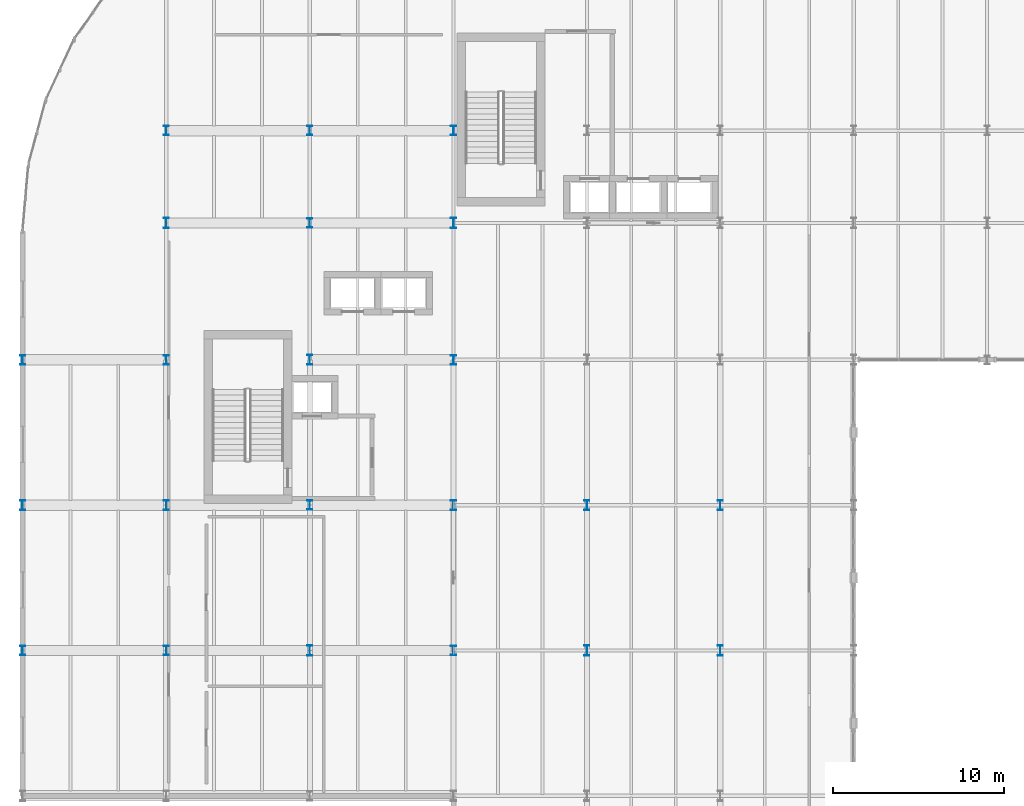
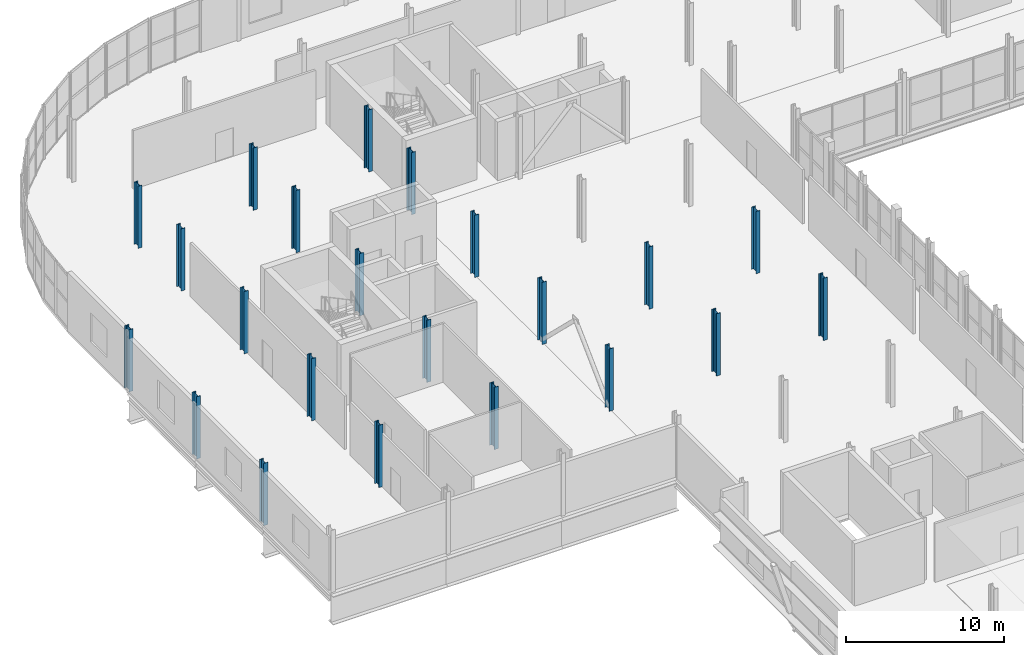
# One storey, part 6 of 63: 22 columns.
"""IFC4 building model written with IfcOpenShell, lengths in metres."""

import ifcopenshell
import ifcopenshell.guid

model = None  # the IFC model being written
_history = None  # IfcOwnerHistory: only IFC2X3 demands one
_inside = {}  # id of a spatial element -> (the spatial element, [elements in it])
_under = {}  # id of a project, library or spatial element -> (it, [spatial elements below it])
_declared = {}  # id of a project -> (the project, [libraries it declares])
_typed = {}  # id of a type object -> (the type object, [elements of that type])
_made_of = {}  # id of a material, layer set ... -> (it, [elements and type objects made of it])


def new_model(schema):
    """Start an empty IFC model of exactly this schema.

    Asked for "IFC4X3", IfcOpenShell would pick the latest addendum, in which some entities
    have other attributes; the version numbers below select the first issue.
    IFC2X3 requires an IfcOwnerHistory on every rooted entity: one is made here for all.
    """
    global model, _history
    if schema == "IFC4X3":
        model = ifcopenshell.file(schema_version=(4, 3, 0, 0))
    else:
        model = ifcopenshell.file(schema=schema)
    _inside.clear()
    _under.clear()
    _declared.clear()
    _typed.clear()
    _made_of.clear()
    _history = None
    if model.schema == "IFC2X3":
        org = make("IfcOrganization", Name="unknown")
        user = make(
            "IfcPersonAndOrganization",
            ThePerson=make("IfcPerson", FamilyName="unknown"),
            TheOrganization=org,
        )
        app = make(
            "IfcApplication",
            ApplicationDeveloper=org,
            Version="unknown",
            ApplicationFullName="unknown",
            ApplicationIdentifier="unknown",
        )
        _history = make(
            "IfcOwnerHistory",
            OwningUser=user,
            OwningApplication=app,
            ChangeAction="ADDED",
            CreationDate=0,
        )
    return model


def make(cls, **values):
    """One entity of the class cls with the attributes given. An attribute that is None is left unset."""
    return model.create_entity(
        cls, **{name: value for name, value in values.items() if value is not None}
    )


def rooted(cls, **values):
    """An entity with a GlobalId (a new one), such as an element, a storey or a relation."""
    return make(cls, GlobalId=ifcopenshell.guid.new(), OwnerHistory=_history, **values)


def si_unit(unit_type, name, prefix=None):
    """IfcSIUnit, for example si_unit("LENGTHUNIT", "METRE", prefix="MILLI")."""
    return make("IfcSIUnit", UnitType=unit_type, Prefix=prefix, Name=name)


def assignment(units):
    """IfcUnitAssignment: the units of a project."""
    return None if units is None else make("IfcUnitAssignment", Units=units)


def point(xyz):
    """IfcCartesianPoint."""
    return None if xyz is None else make("IfcCartesianPoint", Coordinates=xyz)


def direction(xyz):
    """IfcDirection."""
    return None if xyz is None else make("IfcDirection", DirectionRatios=xyz)


def frame(location, z_axis=None, x_axis=None):
    """IfcAxis2Placement3D, a coordinate frame: its origin and axes. An axis left out is left unset."""
    return make(
        "IfcAxis2Placement3D",
        Location=point(location),
        Axis=direction(z_axis),
        RefDirection=direction(x_axis),
    )


def frame_2d(location, x_axis=None):
    """IfcAxis2Placement2D, a coordinate frame in the plane: its origin and x axis."""
    return make(
        "IfcAxis2Placement2D", Location=point(location), RefDirection=direction(x_axis)
    )


def origin():
    """The frame at (0, 0, 0) with its axes left unset."""
    return frame((0.0, 0.0, 0.0))


def origin_2d():
    """The frame at (0, 0) in the plane with its x axis left unset."""
    return frame_2d((0.0, 0.0))


def place(relative_to, where):
    """IfcLocalPlacement: puts the frame where relative to a parent placement (None: the world)."""
    return make(
        "IfcLocalPlacement", PlacementRelTo=relative_to, RelativePlacement=where
    )


def context(
    kind, dimensions, precision=None, world=None, true_north=None, identifier=None
):
    """IfcGeometricRepresentationContext, for example the 3D "Model" context."""
    return make(
        "IfcGeometricRepresentationContext",
        ContextIdentifier=identifier,
        ContextType=kind,
        CoordinateSpaceDimension=dimensions,
        Precision=precision,
        WorldCoordinateSystem=world,
        TrueNorth=true_north,
    )


def subcontext(parent, identifier, kind, view, scale=None):
    """IfcGeometricRepresentationSubContext, for example "Body" below "Model"."""
    return make(
        "IfcGeometricRepresentationSubContext",
        ContextIdentifier=identifier,
        ContextType=kind,
        ParentContext=parent,
        TargetScale=scale,
        TargetView=view,
    )


def project(units=None, contexts=None):
    """IfcProject with its units and contexts."""
    return rooted(
        "IfcProject",
        Name="project",
        RepresentationContexts=contexts,
        UnitsInContext=assignment(units),
    )


def spatial(cls, under=None, at=None, **own):
    """A site, building, storey or space (cls), placed at a placement, below another one or the project."""
    s = rooted(cls, ObjectPlacement=at, **own)
    if under is not None:
        _under.setdefault(under.id(), (under, []))[1].append(s)
    return s


def profile(cls, at=None, kind="AREA", **sizes):
    """A parametric profile (cls). Its sizes go by their IFC names, for example OverallWidth=200.0."""
    return make(cls, ProfileType=kind, Position=at, **sizes)


def i_section(**sizes):
    """IfcIShapeProfileDef."""
    return profile("IfcIShapeProfileDef", **sizes)


def extrude(swept, where, along, depth):
    """IfcExtrudedAreaSolid: the profile swept, set in the frame where, extruded along a direction by depth."""
    return make(
        "IfcExtrudedAreaSolid",
        SweptArea=swept,
        Position=where,
        ExtrudedDirection=direction(along),
        Depth=depth,
    )


def shape(context_of_items, identifier, shape_type, items):
    """IfcShapeRepresentation: the items that make up one representation, for example the "Body"."""
    return make(
        "IfcShapeRepresentation",
        ContextOfItems=context_of_items,
        RepresentationIdentifier=identifier,
        RepresentationType=shape_type,
        Items=items,
    )


def material(Name=None, Category=None):
    """IfcMaterial."""
    return make("IfcMaterial", Name=Name, Category=Category)


def material_profile(
    of_material, cross_section, Name=None, Category=None, Priority=None
):
    """IfcMaterialProfile: a cross section and its material."""
    return make(
        "IfcMaterialProfile",
        Name=Name,
        Material=of_material,
        Profile=cross_section,
        Priority=Priority,
        Category=Category,
    )


def profile_set(profiles, Name=None, composite=None):
    """IfcMaterialProfileSet."""
    return make(
        "IfcMaterialProfileSet",
        Name=Name,
        MaterialProfiles=profiles,
        CompositeProfile=composite,
    )


def made_of(thing, what):
    """Note that an element or type object is made of a material, layer set ...; save() writes the relation."""
    if what is not None:
        _made_of.setdefault(what.id(), (what, []))[1].append(thing)
    return thing


def type_object(cls, material=None, **own):
    """A type object (cls), such as IfcWallType, which elements share."""
    return made_of(rooted(cls, **own), material)


def element(
    cls,
    number,
    at=None,
    inside=None,
    cuts=None,
    type_object=None,
    material=None,
    context=None,
    identifier="Body",
    shape_type=None,
    held_by="IfcProductDefinitionShape",
    body=None,
    shapes=None,
    **own,
):
    """One element of the class cls, such as IfcWall. Its Tag is "e" and its number.

    at: its placement. inside: the storey or other place that contains it. cuts: it is an
    opening in that element (IfcRelVoidsElement). A single representation is given by context,
    identifier, shape_type and body (its items); several are given by shapes. held_by: the class
    of the entity that holds the representations. save() writes the other relations.
    """
    e = rooted(cls, Tag="e%d" % number, ObjectPlacement=at, **own)
    if body is not None:
        shapes = [shape(context, identifier, shape_type, body)]
    if shapes is not None:
        e.Representation = make(held_by, Representations=shapes)
    if inside is not None:
        _inside.setdefault(inside.id(), (inside, []))[1].append(e)
    if cuts is not None:
        rooted(
            "IfcRelVoidsElement", RelatingBuildingElement=cuts, RelatedOpeningElement=e
        )
    if type_object is not None:
        _typed.setdefault(type_object.id(), (type_object, []))[1].append(e)
    return made_of(e, material)


def aggregate(whole, parts):
    """IfcRelAggregates: a whole, such as a stair, and the parts it consists of."""
    return rooted("IfcRelAggregates", RelatingObject=whole, RelatedObjects=parts)


def save(model, path):
    """Write the relations noted so far, then the file.

    IfcRelAggregates (storeys below a building ...), IfcRelContainedInSpatialStructure (elements
    in a storey), IfcRelDefinesByType, IfcRelAssociatesMaterial and IfcRelDeclares: one each for
    every whole, place, type object, material and project.
    """
    for whole, parts in _under.values():
        aggregate(whole, parts)
    for where, things in _inside.values():
        rooted(
            "IfcRelContainedInSpatialStructure",
            RelatedElements=things,
            RelatingStructure=where,
        )
    for kind, things in _typed.values():
        rooted("IfcRelDefinesByType", RelatedObjects=things, RelatingType=kind)
    for what, things in _made_of.values():
        rooted("IfcRelAssociatesMaterial", RelatedObjects=things, RelatingMaterial=what)
    for by, libraries in _declared.values():
        rooted("IfcRelDeclares", RelatingContext=by, RelatedDefinitions=libraries)
    model.write(path)


model = new_model("IFC4")

# Units and contexts
model_context = context("Model", 3, precision=1e-05, world=origin(), true_north=direction((0.0, 1.0)))
body_context = subcontext(model_context, "Body", "Model", "MODEL_VIEW")
ifc_project = project(units=[si_unit("LENGTHUNIT", "METRE"), si_unit("AREAUNIT", "SQUARE_METRE"), si_unit("VOLUMEUNIT", "CUBIC_METRE"), si_unit("PLANEANGLEUNIT", "RADIAN"), si_unit("MASSUNIT", "GRAM", prefix="KILO")], contexts=[model_context])

# Site, building, storey
site_placement = place(None, origin())
site = spatial("IfcSite", under=ifc_project, at=site_placement, CompositionType="ELEMENT")
building_placement = place(site_placement, origin())
building = spatial("IfcBuilding", under=site, at=building_placement, Name="Sefraquen Railside Congress Hotel", CompositionType="ELEMENT")
storey_placement = place(building_placement, frame((0.0, 0.0, 11.39990234375)))
storey = spatial("IfcBuildingStorey", under=building, at=storey_placement, Name="L02", CompositionType="ELEMENT", Elevation=11.39990234375)

# Columns
ifc_material = material(Name="Steel S355JR", Category="steel")
ifc_material_profile_1 = material_profile(ifc_material, i_section(OverallWidth=0.300048828125, OverallDepth=0.550048828125, WebThickness=0.014892578125, FlangeThickness=0.029052734375, FilletRadius=0.027099609375, at=origin_2d()), Name="HEB 550")
ifc_profile_set_1 = profile_set([ifc_material_profile_1], Name="Steel S355JR")
column_type_1 = type_object("IfcColumnType", Name="TC-HEB-550", PredefinedType="COLUMN", material=ifc_profile_set_1)
for number, where, z_axis, x_axis, name in (
    (1, (0.0, 71.0, 0.0), (0.0, 0.0, 1.0), (1.0, 0.0, 0.0), "Structural column 1-J L02"),
    (2, (0.0, 88.0, 0.0), (0.0, 0.0, 1.0), (1.0, 0.0, 0.0), "Structural column 1-L L02"),
    (3, (8.39990234375, 71.0, 0.0), (0.0, 0.0, 1.0), (1.0, 0.0, 0.0), "Structural column 2-J L02"),
    (4, (8.39990234375, 88.0, 0.0), (0.0, 0.0, 1.0), (1.0, 0.0, 0.0), "Structural column 2-L L02"),
    (5, (16.800048828125, 79.5, 0.0), (0.0, 0.0, 1.0), (1.0, 0.0, 0.0), "Structural column 3-K L02"),
    (6, (16.800048828125, 96.0, 0.0), (0.0, 0.0, 1.0), (1.0, 0.0, 0.0), "Structural column 3-M L02"),
    (7, (25.199951171875, 71.0, 0.0), (0.0, 0.0, 1.0), (1.0, 0.0, 0.0), "Structural column 4-J L02"),
    (8, (25.199951171875, 88.0, 0.0), (0.0, 0.0, 1.0), (1.0, 0.0, 0.0), "Structural column 4-L L02"),
    (9, (8.39990234375, 101.39990234375, 0.0), (0.0, 0.0, 1.0), (1.0, 0.0, 0.0), "Structural column 2-N L02"),
    (10, (16.800048828125, 101.39990234375, 0.0), (0.0, 0.0, 1.0), (1.0, 0.0, 0.0), "Structural column 3-N L02"),
    (11, (25.199951171875, 101.39990234375, 0.0), (0.0, 0.0, 1.0), (1.0, 0.0, 0.0), "Structural column 4-N L02"),
):
    element("IfcColumn", number, at=place(storey_placement, frame(where, z_axis=z_axis, x_axis=x_axis)), inside=storey, type_object=column_type_1, Name=name, PredefinedType="COLUMN", context=body_context, shape_type="SweptSolid", body=[
        extrude(i_section(OverallWidth=0.300048828125, OverallDepth=0.550048828125, WebThickness=0.014892578125, FlangeThickness=0.029052734375, FilletRadius=0.027099609375, at=origin_2d()), origin(), (0.0, 0.0, 1.0), 4.800048828125),
    ])
ifc_material_profile_2 = material_profile(ifc_material, i_section(OverallWidth=0.300048828125, OverallDepth=0.60009765625, WebThickness=0.015380859375, FlangeThickness=0.030029296875, FilletRadius=0.027099609375, at=origin_2d()), Name="HEB 600")
ifc_profile_set_2 = profile_set([ifc_material_profile_2], Name="Steel S355JR")
column_type_2 = type_object("IfcColumnType", Name="TC-HEB-600", PredefinedType="COLUMN", material=ifc_profile_set_2)
for number, where, z_axis, x_axis, name in (
    (12, (0.0, 79.5, 0.0), (0.0, 0.0, 1.0), (1.0, 0.0, 0.0), "Structural column 1-K L02"),
    (13, (8.39990234375, 79.5, 0.0), (0.0, 0.0, 1.0), (1.0, 0.0, 0.0), "Structural column 2-K L02"),
    (14, (8.39990234375, 96.0, 0.0), (0.0, 0.0, 1.0), (1.0, 0.0, 0.0), "Structural column 2-M L02"),
    (15, (16.800048828125, 71.0, 0.0), (0.0, 0.0, 1.0), (1.0, 0.0, 0.0), "Structural column 3-J L02"),
    (16, (16.800048828125, 88.0, 0.0), (0.0, 0.0, 1.0), (1.0, 0.0, 0.0), "Structural column 3-L L02"),
    (17, (25.199951171875, 79.5, 0.0), (0.0, 0.0, 1.0), (1.0, 0.0, 0.0), "Structural column 4-K L02"),
    (18, (25.199951171875, 96.0, 0.0), (0.0, 0.0, 1.0), (1.0, 0.0, 0.0), "Structural column 4-M L02"),
    (19, (33.0, 71.0, 0.0), (0.0, 0.0, 1.0), (1.0, 0.0, 0.0), "Structural column 5-J L02"),
    (20, (33.0, 79.5, 0.0), (0.0, 0.0, 1.0), (1.0, 0.0, 0.0), "Structural column 5-K L02"),
    (21, (40.800048828125, 71.0, 0.0), (0.0, 0.0, 1.0), (1.0, 0.0, 0.0), "Structural column 6-J L02"),
    (22, (40.800048828125, 79.5, 0.0), (0.0, 0.0, 1.0), (1.0, 0.0, 0.0), "Structural column 6-K L02"),
):
    element("IfcColumn", number, at=place(storey_placement, frame(where, z_axis=z_axis, x_axis=x_axis)), inside=storey, type_object=column_type_2, Name=name, PredefinedType="COLUMN", context=body_context, shape_type="SweptSolid", body=[
        extrude(i_section(OverallWidth=0.300048828125, OverallDepth=0.60009765625, WebThickness=0.015380859375, FlangeThickness=0.030029296875, FilletRadius=0.027099609375, at=origin_2d()), origin(), (0.0, 0.0, 1.0), 4.800048828125),
    ])

save(model, "model.ifc")
